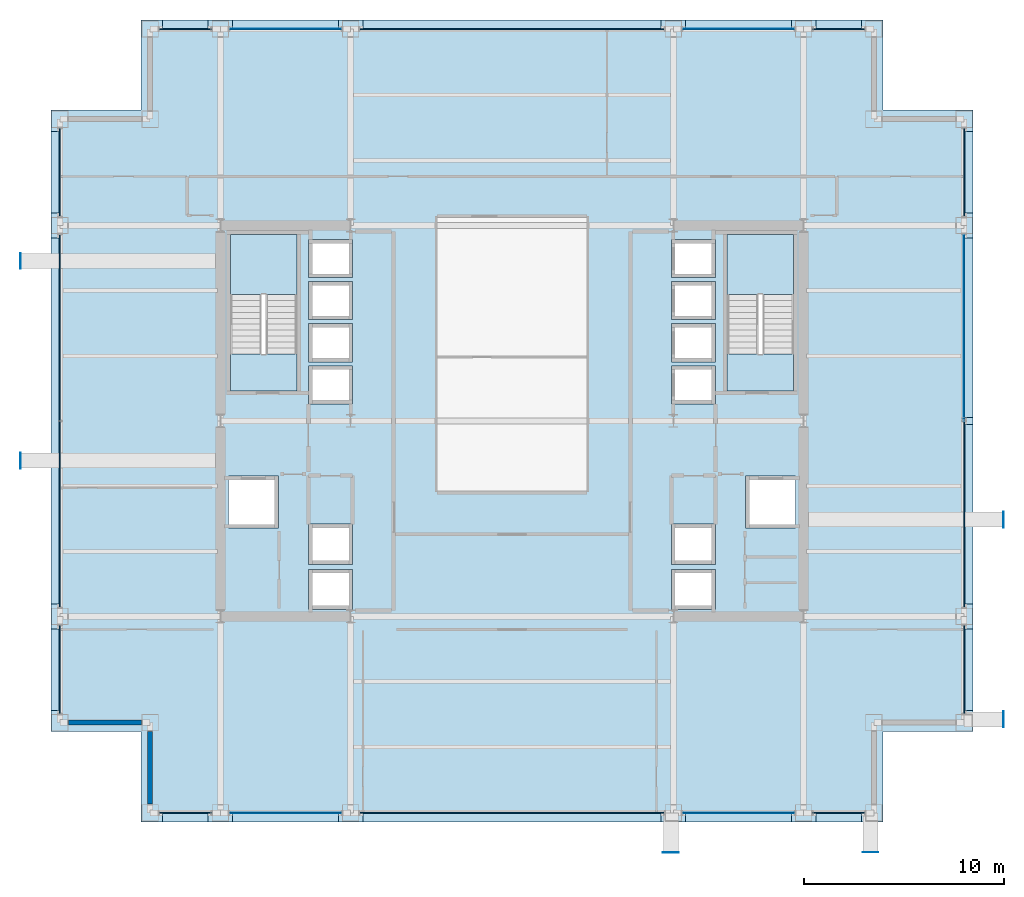
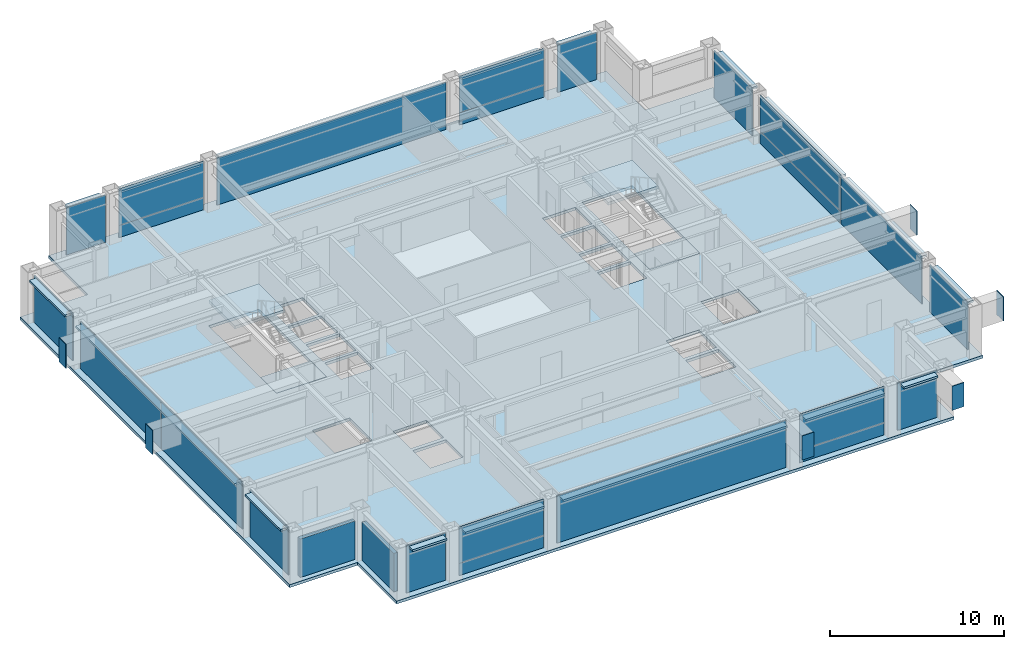
# One storey, part 23 of 28: 46 plates, 5 slabs, 2 walls, 19 elements without a shape of their own.
"""IFC4 building model written with IfcOpenShell, lengths in metres."""

import ifcopenshell
import ifcopenshell.guid

model = None  # the IFC model being written
_history = None  # IfcOwnerHistory: only IFC2X3 demands one
_inside = {}  # id of a spatial element -> (the spatial element, [elements in it])
_under = {}  # id of a project, library or spatial element -> (it, [spatial elements below it])
_declared = {}  # id of a project -> (the project, [libraries it declares])
_typed = {}  # id of a type object -> (the type object, [elements of that type])
_made_of = {}  # id of a material, layer set ... -> (it, [elements and type objects made of it])


def new_model(schema):
    """Start an empty IFC model of exactly this schema.

    Asked for "IFC4X3", IfcOpenShell would pick the latest addendum, in which some entities
    have other attributes; the version numbers below select the first issue.
    IFC2X3 requires an IfcOwnerHistory on every rooted entity: one is made here for all.
    """
    global model, _history
    if schema == "IFC4X3":
        model = ifcopenshell.file(schema_version=(4, 3, 0, 0))
    else:
        model = ifcopenshell.file(schema=schema)
    _inside.clear()
    _under.clear()
    _declared.clear()
    _typed.clear()
    _made_of.clear()
    _history = None
    if model.schema == "IFC2X3":
        org = make("IfcOrganization", Name="unknown")
        user = make(
            "IfcPersonAndOrganization",
            ThePerson=make("IfcPerson", FamilyName="unknown"),
            TheOrganization=org,
        )
        app = make(
            "IfcApplication",
            ApplicationDeveloper=org,
            Version="unknown",
            ApplicationFullName="unknown",
            ApplicationIdentifier="unknown",
        )
        _history = make(
            "IfcOwnerHistory",
            OwningUser=user,
            OwningApplication=app,
            ChangeAction="ADDED",
            CreationDate=0,
        )
    return model


def make(cls, **values):
    """One entity of the class cls with the attributes given. An attribute that is None is left unset."""
    return model.create_entity(
        cls, **{name: value for name, value in values.items() if value is not None}
    )


def rooted(cls, **values):
    """An entity with a GlobalId (a new one), such as an element, a storey or a relation."""
    return make(cls, GlobalId=ifcopenshell.guid.new(), OwnerHistory=_history, **values)


def si_unit(unit_type, name, prefix=None):
    """IfcSIUnit, for example si_unit("LENGTHUNIT", "METRE", prefix="MILLI")."""
    return make("IfcSIUnit", UnitType=unit_type, Prefix=prefix, Name=name)


def assignment(units):
    """IfcUnitAssignment: the units of a project."""
    return None if units is None else make("IfcUnitAssignment", Units=units)


def point(xyz):
    """IfcCartesianPoint."""
    return None if xyz is None else make("IfcCartesianPoint", Coordinates=xyz)


def direction(xyz):
    """IfcDirection."""
    return None if xyz is None else make("IfcDirection", DirectionRatios=xyz)


def frame(location, z_axis=None, x_axis=None):
    """IfcAxis2Placement3D, a coordinate frame: its origin and axes. An axis left out is left unset."""
    return make(
        "IfcAxis2Placement3D",
        Location=point(location),
        Axis=direction(z_axis),
        RefDirection=direction(x_axis),
    )


def frame_2d(location, x_axis=None):
    """IfcAxis2Placement2D, a coordinate frame in the plane: its origin and x axis."""
    return make(
        "IfcAxis2Placement2D", Location=point(location), RefDirection=direction(x_axis)
    )


def origin():
    """The frame at (0, 0, 0) with its axes left unset."""
    return frame((0.0, 0.0, 0.0))


def origin_2d():
    """The frame at (0, 0) in the plane with its x axis left unset."""
    return frame_2d((0.0, 0.0))


def place(relative_to, where):
    """IfcLocalPlacement: puts the frame where relative to a parent placement (None: the world)."""
    return make(
        "IfcLocalPlacement", PlacementRelTo=relative_to, RelativePlacement=where
    )


def context(
    kind, dimensions, precision=None, world=None, true_north=None, identifier=None
):
    """IfcGeometricRepresentationContext, for example the 3D "Model" context."""
    return make(
        "IfcGeometricRepresentationContext",
        ContextIdentifier=identifier,
        ContextType=kind,
        CoordinateSpaceDimension=dimensions,
        Precision=precision,
        WorldCoordinateSystem=world,
        TrueNorth=true_north,
    )


def subcontext(parent, identifier, kind, view, scale=None):
    """IfcGeometricRepresentationSubContext, for example "Body" below "Model"."""
    return make(
        "IfcGeometricRepresentationSubContext",
        ContextIdentifier=identifier,
        ContextType=kind,
        ParentContext=parent,
        TargetScale=scale,
        TargetView=view,
    )


def project(units=None, contexts=None):
    """IfcProject with its units and contexts."""
    return rooted(
        "IfcProject",
        Name="project",
        RepresentationContexts=contexts,
        UnitsInContext=assignment(units),
    )


def spatial(cls, under=None, at=None, **own):
    """A site, building, storey or space (cls), placed at a placement, below another one or the project."""
    s = rooted(cls, ObjectPlacement=at, **own)
    if under is not None:
        _under.setdefault(under.id(), (under, []))[1].append(s)
    return s


def polyline(points):
    """IfcPolyline through the points."""
    return make("IfcPolyline", Points=[point(p) for p in points])


def profile(cls, at=None, kind="AREA", **sizes):
    """A parametric profile (cls). Its sizes go by their IFC names, for example OverallWidth=200.0."""
    return make(cls, ProfileType=kind, Position=at, **sizes)


def rectangle(**sizes):
    """IfcRectangleProfileDef."""
    return profile("IfcRectangleProfileDef", **sizes)


def outline(outer, holes=None, kind="AREA"):
    """IfcArbitraryClosedProfileDef: a profile drawn as a closed curve; with holes, ...WithVoids."""
    if holes is None:
        return make("IfcArbitraryClosedProfileDef", ProfileType=kind, OuterCurve=outer)
    return make(
        "IfcArbitraryProfileDefWithVoids",
        ProfileType=kind,
        OuterCurve=outer,
        InnerCurves=holes,
    )


def extrude(swept, where, along, depth):
    """IfcExtrudedAreaSolid: the profile swept, set in the frame where, extruded along a direction by depth."""
    return make(
        "IfcExtrudedAreaSolid",
        SweptArea=swept,
        Position=where,
        ExtrudedDirection=direction(along),
        Depth=depth,
    )


def shape(context_of_items, identifier, shape_type, items):
    """IfcShapeRepresentation: the items that make up one representation, for example the "Body"."""
    return make(
        "IfcShapeRepresentation",
        ContextOfItems=context_of_items,
        RepresentationIdentifier=identifier,
        RepresentationType=shape_type,
        Items=items,
    )


def material(Name=None, Category=None):
    """IfcMaterial."""
    return make("IfcMaterial", Name=Name, Category=Category)


def layer(
    of_material, thickness, ventilated=None, Name=None, Category=None, Priority=None
):
    """IfcMaterialLayer: one layer of a wall or slab, of a material (None: an air gap)."""
    return make(
        "IfcMaterialLayer",
        Material=of_material,
        LayerThickness=thickness,
        IsVentilated=ventilated,
        Name=Name,
        Category=Category,
        Priority=Priority,
    )


def layer_set(layers, Name=None):
    """IfcMaterialLayerSet."""
    return make("IfcMaterialLayerSet", MaterialLayers=layers, LayerSetName=Name)


def made_of(thing, what):
    """Note that an element or type object is made of a material, layer set ...; save() writes the relation."""
    if what is not None:
        _made_of.setdefault(what.id(), (what, []))[1].append(thing)
    return thing


def type_object(cls, material=None, **own):
    """A type object (cls), such as IfcWallType, which elements share."""
    return made_of(rooted(cls, **own), material)


def element(
    cls,
    number,
    at=None,
    inside=None,
    cuts=None,
    type_object=None,
    material=None,
    context=None,
    identifier="Body",
    shape_type=None,
    held_by="IfcProductDefinitionShape",
    body=None,
    shapes=None,
    **own,
):
    """One element of the class cls, such as IfcWall. Its Tag is "e" and its number.

    at: its placement. inside: the storey or other place that contains it. cuts: it is an
    opening in that element (IfcRelVoidsElement). A single representation is given by context,
    identifier, shape_type and body (its items); several are given by shapes. held_by: the class
    of the entity that holds the representations. save() writes the other relations.
    """
    e = rooted(cls, Tag="e%d" % number, ObjectPlacement=at, **own)
    if body is not None:
        shapes = [shape(context, identifier, shape_type, body)]
    if shapes is not None:
        e.Representation = make(held_by, Representations=shapes)
    if inside is not None:
        _inside.setdefault(inside.id(), (inside, []))[1].append(e)
    if cuts is not None:
        rooted(
            "IfcRelVoidsElement", RelatingBuildingElement=cuts, RelatedOpeningElement=e
        )
    if type_object is not None:
        _typed.setdefault(type_object.id(), (type_object, []))[1].append(e)
    return made_of(e, material)


def aggregate(whole, parts):
    """IfcRelAggregates: a whole, such as a stair, and the parts it consists of."""
    return rooted("IfcRelAggregates", RelatingObject=whole, RelatedObjects=parts)


def save(model, path):
    """Write the relations noted so far, then the file.

    IfcRelAggregates (storeys below a building ...), IfcRelContainedInSpatialStructure (elements
    in a storey), IfcRelDefinesByType, IfcRelAssociatesMaterial and IfcRelDeclares: one each for
    every whole, place, type object, material and project.
    """
    for whole, parts in _under.values():
        aggregate(whole, parts)
    for where, things in _inside.values():
        rooted(
            "IfcRelContainedInSpatialStructure",
            RelatedElements=things,
            RelatingStructure=where,
        )
    for kind, things in _typed.values():
        rooted("IfcRelDefinesByType", RelatedObjects=things, RelatingType=kind)
    for what, things in _made_of.values():
        rooted("IfcRelAssociatesMaterial", RelatedObjects=things, RelatingMaterial=what)
    for by, libraries in _declared.values():
        rooted("IfcRelDeclares", RelatingContext=by, RelatedDefinitions=libraries)
    model.write(path)


model = new_model("IFC4")

# Units and contexts
model_context = context("Model", 3, precision=1e-05, world=origin(), true_north=direction((0.0, 1.0)))
body_context = subcontext(model_context, "Body", "Model", "MODEL_VIEW")
ifc_project = project(units=[si_unit("LENGTHUNIT", "METRE"), si_unit("AREAUNIT", "SQUARE_METRE"), si_unit("VOLUMEUNIT", "CUBIC_METRE"), si_unit("PLANEANGLEUNIT", "RADIAN"), si_unit("MASSUNIT", "GRAM", prefix="KILO")], contexts=[model_context])

# Site, building, storey
site_placement = place(None, origin())
site = spatial("IfcSite", under=ifc_project, at=site_placement, CompositionType="ELEMENT")
building_placement = place(site_placement, origin())
building = spatial("IfcBuilding", under=site, at=building_placement, Name="Brelmoor Portico Tower", CompositionType="ELEMENT")
storey_placement = place(building_placement, frame((0.0, 0.0, 91.800048828125)))
storey = spatial("IfcBuildingStorey", under=building, at=storey_placement, Name="L23", CompositionType="ELEMENT", Elevation=91.800048828125)

# Plates
ifc_material_1 = material(Name="Steel Q355B", Category="steel")
ifc_layer_1 = layer(ifc_material_1, 0.044921875)
ifc_layer_set_1 = layer_set([ifc_layer_1], Name="Steel Q355B")
plate_type_1 = type_object("IfcPlateType", Name="PT-CAP-650", PredefinedType="SHEET", material=ifc_layer_set_1)
for number, where, z_axis, x_axis, name in (
    (1, (7.919921875, -21.52001953125, 1.72021484375), (0.0, 0.0, 1.0), (1.0, 0.0, 0.0), "L23 Picture-Frame Cantilever End Cap Plate PFB-01"),
    (2, (17.8798828125, -21.52001953125, 1.72021484375), (0.0, 0.0, 1.0), (1.0, 0.0, 0.0), "L23 Picture-Frame Cantilever End Cap Plate PFB-02"),
):
    element("IfcPlate", number, at=place(storey_placement, frame(where, z_axis=z_axis, x_axis=x_axis)), inside=storey, type_object=plate_type_1, Name=name, PredefinedType="SHEET", context=body_context, shape_type="SweptSolid", body=[
        extrude(rectangle(XDim=0.7900390625, YDim=0.0400390625, at=origin_2d()), origin(), (0.0, 0.0, 1.0), 1.699951171875),
    ])
for number, where, z_axis, x_axis, name in (
    (3, (24.52001953125, -14.8798828125, 1.72021484375), (0.0, 0.0, 1.0), (1.0, 0.0, 0.0), "L23 Picture-Frame Cantilever End Cap Plate PFB-03"),
    (4, (24.52001953125, -4.919921875, 1.72021484375), (0.0, 0.0, 1.0), (1.0, 0.0, 0.0), "L23 Picture-Frame Cantilever End Cap Plate PFB-04"),
    (5, (-24.52001953125, -1.97998046875, 1.72021484375), (0.0, 0.0, 1.0), (1.0, 0.0, 0.0), "L23 Picture-Frame Cantilever End Cap Plate PFB-05"),
    (6, (-24.52001953125, 7.97998046875, 1.72021484375), (0.0, 0.0, 1.0), (1.0, 0.0, 0.0), "L23 Picture-Frame Cantilever End Cap Plate PFB-06"),
):
    element("IfcPlate", number, at=place(storey_placement, frame(where, z_axis=z_axis, x_axis=x_axis)), inside=storey, type_object=plate_type_1, Name=name, PredefinedType="SHEET", context=body_context, shape_type="SweptSolid", body=[
        extrude(rectangle(XDim=0.0400390625, YDim=0.7900390625, at=origin_2d()), origin(), (0.0, 0.0, 1.0), 1.699951171875),
    ])

# Curtain wall, plate
ifc_material_2 = material(Name="Anodised Aluminium Alloy 6063-T6", Category="aluminium")
ifc_layer_2 = layer(ifc_material_2, 0.179931640625)
ifc_layer_set_2 = layer_set([ifc_layer_2], Name="Anodised Aluminium Alloy 6063-T6")
curtain_wall_type_1 = type_object("IfcCurtainWallType", Name="CW-TOWER-Z2", PredefinedType="NOTDEFINED", material=ifc_layer_set_2)
curtain_wall_1_placement = place(storey_placement, origin())
curtain_wall_1 = element("IfcCurtainWall", 7, at=curtain_wall_1_placement, inside=storey, type_object=curtain_wall_type_1, Name="L23 Curtain Wall CW-L23-01-2", PredefinedType="NOTDEFINED")
ifc_material_3 = material(Name="Double-Silver Low-E Insulated Glazing", Category="glass")
ifc_layer_3 = layer(ifc_material_3, 0.035888671875)
ifc_layer_set_3 = layer_set([ifc_layer_3], Name="Double-Silver Low-E Insulated Glazing")
plate_type_2 = type_object("IfcPlateType", Name="PT-CW-GLASS", PredefinedType="CURTAIN_PANEL", material=ifc_layer_set_3)
plate_1_placement = place(storey_placement, frame((-11.300048828125, -19.550048828125, 0.85009765625), z_axis=(0.0, 0.0, 1.0), x_axis=(1.0, 0.0, 0.0)))
plate_1 = element("IfcPlate", 8, at=plate_1_placement, type_object=plate_type_2, Name="CW-L23-01-2 Vision Glass Panel 00", PredefinedType="CURTAIN_PANEL", context=body_context, shape_type="SweptSolid", body=[
    extrude(rectangle(XDim=5.60009765625, YDim=0.035888671875, at=origin_2d()), origin(), (0.0, 0.0, 1.0), 2.550048828125),
])

curtain_wall_2_placement = place(storey_placement, origin())
curtain_wall_2 = element("IfcCurtainWall", 9, at=curtain_wall_2_placement, inside=storey, type_object=curtain_wall_type_1, Name="L23 Curtain Wall CW-L23-01-4", PredefinedType="NOTDEFINED")
plate_2_placement = place(storey_placement, frame((11.300048828125, -19.550048828125, 0.85009765625), z_axis=(0.0, 0.0, 1.0), x_axis=(1.0, 0.0, 0.0)))
plate_2 = element("IfcPlate", 10, at=plate_2_placement, type_object=plate_type_2, Name="CW-L23-01-4 Vision Glass Panel 00", PredefinedType="CURTAIN_PANEL", context=body_context, shape_type="SweptSolid", body=[
    extrude(rectangle(XDim=5.60009765625, YDim=0.035888671875, at=origin_2d()), origin(), (0.0, 0.0, 1.0), 2.550048828125),
])

curtain_wall_3_placement = place(storey_placement, origin())
curtain_wall_3 = element("IfcCurtainWall", 11, at=curtain_wall_3_placement, inside=storey, type_object=curtain_wall_type_1, Name="L23 Curtain Wall CW-L23-02-2", PredefinedType="NOTDEFINED")
plate_3_placement = place(storey_placement, frame((-11.300048828125, 19.550048828125, 0.85009765625), z_axis=(0.0, 0.0, 1.0), x_axis=(1.0, 0.0, 0.0)))
plate_3 = element("IfcPlate", 12, at=plate_3_placement, type_object=plate_type_2, Name="CW-L23-02-2 Vision Glass Panel 00", PredefinedType="CURTAIN_PANEL", context=body_context, shape_type="SweptSolid", body=[
    extrude(rectangle(XDim=5.60009765625, YDim=0.035888671875, at=origin_2d()), origin(), (0.0, 0.0, 1.0), 2.550048828125),
])

curtain_wall_4_placement = place(storey_placement, origin())
curtain_wall_4 = element("IfcCurtainWall", 13, at=curtain_wall_4_placement, inside=storey, type_object=curtain_wall_type_1, Name="L23 Curtain Wall CW-L23-02-4", PredefinedType="NOTDEFINED")
plate_4_placement = place(storey_placement, frame((11.300048828125, 19.550048828125, 0.85009765625), z_axis=(0.0, 0.0, 1.0), x_axis=(1.0, 0.0, 0.0)))
plate_4 = element("IfcPlate", 14, at=plate_4_placement, type_object=plate_type_2, Name="CW-L23-02-4 Vision Glass Panel 00", PredefinedType="CURTAIN_PANEL", context=body_context, shape_type="SweptSolid", body=[
    extrude(rectangle(XDim=5.60009765625, YDim=0.035888671875, at=origin_2d()), origin(), (0.0, 0.0, 1.0), 2.550048828125),
])

curtain_wall_5_placement = place(storey_placement, origin())
curtain_wall_5 = element("IfcCurtainWall", 15, at=curtain_wall_5_placement, inside=storey, type_object=curtain_wall_type_1, Name="L23 Curtain Wall CW-L23-04-2b", PredefinedType="NOTDEFINED")
plate_5_placement = place(storey_placement, frame((22.550048828125, 4.657470703125, 0.85009765625), z_axis=(0.0, 0.0, 1.0), x_axis=(0.0, 1.0, 0.0)))
plate_5 = element("IfcPlate", 16, at=plate_5_placement, type_object=plate_type_2, Name="CW-L23-04-2b Vision Glass Panel 00", PredefinedType="CURTAIN_PANEL", context=body_context, shape_type="SweptSolid", body=[
    extrude(rectangle(XDim=9.284912109375, YDim=0.035888671875, at=origin_2d()), origin(), (0.0, 0.0, 1.0), 2.550048828125),
])

ifc_layer_4 = layer(ifc_material_2, 0.179931640625)
ifc_layer_set_4 = layer_set([ifc_layer_4], Name="Anodised Aluminium Alloy 6063-T6")
curtain_wall_type_2 = type_object("IfcCurtainWallType", Name="CW-TOWER-Z2-XB", PredefinedType="NOTDEFINED", material=ifc_layer_set_4)
curtain_wall_6_placement = place(storey_placement, origin())
curtain_wall_6 = element("IfcCurtainWall", 17, at=curtain_wall_6_placement, inside=storey, type_object=curtain_wall_type_2, Name="L23 Curtain Wall CW-L23-01-1", PredefinedType="NOTDEFINED")
ifc_material_4 = material(Name="Pale Champagne Anodised Aluminium Panel", Category="aluminium")
ifc_layer_5 = layer(ifc_material_4, 0.050048828125)
ifc_layer_set_5 = layer_set([ifc_layer_5], Name="Pale Champagne Anodised Aluminium Panel")
plate_type_3 = type_object("IfcPlateType", Name="PT-CW-SPANDREL", PredefinedType="SHEET", material=ifc_layer_set_5)
plate_6_placement = place(storey_placement, frame((-16.300048828125, -19.550048828125, 0.0), z_axis=(0.0, 0.0, 1.0), x_axis=(1.0, 0.0, 0.0)))
plate_6 = element("IfcPlate", 18, at=plate_6_placement, type_object=plate_type_3, Name="CW-L23-01-1 Spandrel Panel 00", PredefinedType="SHEET", context=body_context, shape_type="SweptSolid", body=[
    extrude(rectangle(XDim=2.60009765625, YDim=0.050048828125, at=origin_2d()), origin(), (0.0, 0.0, 1.0), 3.330078125),
])
aggregate(curtain_wall_6, [plate_6])

# Plate
plate_7_placement = place(storey_placement, frame((-11.300048828125, -19.550048828125, 0.0), z_axis=(0.0, 0.0, 1.0), x_axis=(1.0, 0.0, 0.0)))
plate_7 = element("IfcPlate", 19, at=plate_7_placement, type_object=plate_type_3, Name="CW-L23-01-2 Spandrel Panel 00", PredefinedType="SHEET", context=body_context, shape_type="SweptSolid", body=[
    extrude(rectangle(XDim=5.60009765625, YDim=0.050048828125, at=origin_2d()), origin(), (0.0, 0.0, 1.0), 0.85009765625),
])

aggregate(curtain_wall_1, [plate_7, plate_1])

# Curtain wall, plate
curtain_wall_7_placement = place(storey_placement, origin())
curtain_wall_7 = element("IfcCurtainWall", 20, at=curtain_wall_7_placement, inside=storey, type_object=curtain_wall_type_2, Name="L23 Curtain Wall CW-L23-01-3", PredefinedType="NOTDEFINED")
plate_8_placement = place(storey_placement, frame((0.0, -19.550048828125, 0.0), z_axis=(0.0, 0.0, 1.0), x_axis=(1.0, 0.0, 0.0)))
plate_8 = element("IfcPlate", 21, at=plate_8_placement, type_object=plate_type_3, Name="CW-L23-01-3 Spandrel Panel 00", PredefinedType="SHEET", context=body_context, shape_type="SweptSolid", body=[
    extrude(rectangle(XDim=15.199951171875, YDim=0.050048828125, at=origin_2d()), origin(), (0.0, 0.0, 1.0), 3.330078125),
])
aggregate(curtain_wall_7, [plate_8])

# Plate
plate_9_placement = place(storey_placement, frame((11.300048828125, -19.550048828125, 0.0), z_axis=(0.0, 0.0, 1.0), x_axis=(1.0, 0.0, 0.0)))
plate_9 = element("IfcPlate", 22, at=plate_9_placement, type_object=plate_type_3, Name="CW-L23-01-4 Spandrel Panel 00", PredefinedType="SHEET", context=body_context, shape_type="SweptSolid", body=[
    extrude(rectangle(XDim=5.60009765625, YDim=0.050048828125, at=origin_2d()), origin(), (0.0, 0.0, 1.0), 0.85009765625),
])

aggregate(curtain_wall_2, [plate_9, plate_2])

# Curtain wall, plate
curtain_wall_8_placement = place(storey_placement, origin())
curtain_wall_8 = element("IfcCurtainWall", 23, at=curtain_wall_8_placement, inside=storey, type_object=curtain_wall_type_2, Name="L23 Curtain Wall CW-L23-01-5", PredefinedType="NOTDEFINED")
plate_10_placement = place(storey_placement, frame((16.300048828125, -19.550048828125, 0.0), z_axis=(0.0, 0.0, 1.0), x_axis=(1.0, 0.0, 0.0)))
plate_10 = element("IfcPlate", 24, at=plate_10_placement, type_object=plate_type_3, Name="CW-L23-01-5 Spandrel Panel 00", PredefinedType="SHEET", context=body_context, shape_type="SweptSolid", body=[
    extrude(rectangle(XDim=2.60009765625, YDim=0.050048828125, at=origin_2d()), origin(), (0.0, 0.0, 1.0), 3.330078125),
])
aggregate(curtain_wall_8, [plate_10])

curtain_wall_9_placement = place(storey_placement, origin())
curtain_wall_9 = element("IfcCurtainWall", 25, at=curtain_wall_9_placement, inside=storey, type_object=curtain_wall_type_2, Name="L23 Curtain Wall CW-L23-02-1", PredefinedType="NOTDEFINED")
plate_11_placement = place(storey_placement, frame((-16.300048828125, 19.550048828125, 0.0), z_axis=(0.0, 0.0, 1.0), x_axis=(1.0, 0.0, 0.0)))
plate_11 = element("IfcPlate", 26, at=plate_11_placement, type_object=plate_type_3, Name="CW-L23-02-1 Spandrel Panel 00", PredefinedType="SHEET", context=body_context, shape_type="SweptSolid", body=[
    extrude(rectangle(XDim=2.60009765625, YDim=0.050048828125, at=origin_2d()), origin(), (0.0, 0.0, 1.0), 3.330078125),
])
aggregate(curtain_wall_9, [plate_11])

# Plate
plate_12_placement = place(storey_placement, frame((-11.300048828125, 19.550048828125, 0.0), z_axis=(0.0, 0.0, 1.0), x_axis=(1.0, 0.0, 0.0)))
plate_12 = element("IfcPlate", 27, at=plate_12_placement, type_object=plate_type_3, Name="CW-L23-02-2 Spandrel Panel 00", PredefinedType="SHEET", context=body_context, shape_type="SweptSolid", body=[
    extrude(rectangle(XDim=5.60009765625, YDim=0.050048828125, at=origin_2d()), origin(), (0.0, 0.0, 1.0), 0.85009765625),
])

aggregate(curtain_wall_3, [plate_12, plate_3])

# Curtain wall, plate
curtain_wall_10_placement = place(storey_placement, origin())
curtain_wall_10 = element("IfcCurtainWall", 28, at=curtain_wall_10_placement, inside=storey, type_object=curtain_wall_type_2, Name="L23 Curtain Wall CW-L23-02-3", PredefinedType="NOTDEFINED")
plate_13_placement = place(storey_placement, frame((0.0, 19.550048828125, 0.0), z_axis=(0.0, 0.0, 1.0), x_axis=(1.0, 0.0, 0.0)))
plate_13 = element("IfcPlate", 29, at=plate_13_placement, type_object=plate_type_3, Name="CW-L23-02-3 Spandrel Panel 00", PredefinedType="SHEET", context=body_context, shape_type="SweptSolid", body=[
    extrude(rectangle(XDim=15.199951171875, YDim=0.050048828125, at=origin_2d()), origin(), (0.0, 0.0, 1.0), 3.330078125),
])
aggregate(curtain_wall_10, [plate_13])

# Plate
plate_14_placement = place(storey_placement, frame((11.300048828125, 19.550048828125, 0.0), z_axis=(0.0, 0.0, 1.0), x_axis=(1.0, 0.0, 0.0)))
plate_14 = element("IfcPlate", 30, at=plate_14_placement, type_object=plate_type_3, Name="CW-L23-02-4 Spandrel Panel 00", PredefinedType="SHEET", context=body_context, shape_type="SweptSolid", body=[
    extrude(rectangle(XDim=5.60009765625, YDim=0.050048828125, at=origin_2d()), origin(), (0.0, 0.0, 1.0), 0.85009765625),
])

aggregate(curtain_wall_4, [plate_14, plate_4])

# Curtain wall, plate
curtain_wall_11_placement = place(storey_placement, origin())
curtain_wall_11 = element("IfcCurtainWall", 31, at=curtain_wall_11_placement, inside=storey, type_object=curtain_wall_type_2, Name="L23 Curtain Wall CW-L23-02-5", PredefinedType="NOTDEFINED")
plate_15_placement = place(storey_placement, frame((16.300048828125, 19.550048828125, 0.0), z_axis=(0.0, 0.0, 1.0), x_axis=(1.0, 0.0, 0.0)))
plate_15 = element("IfcPlate", 32, at=plate_15_placement, type_object=plate_type_3, Name="CW-L23-02-5 Spandrel Panel 00", PredefinedType="SHEET", context=body_context, shape_type="SweptSolid", body=[
    extrude(rectangle(XDim=2.60009765625, YDim=0.050048828125, at=origin_2d()), origin(), (0.0, 0.0, 1.0), 3.330078125),
])
aggregate(curtain_wall_11, [plate_15])

curtain_wall_12_placement = place(storey_placement, origin())
curtain_wall_12 = element("IfcCurtainWall", 33, at=curtain_wall_12_placement, inside=storey, type_object=curtain_wall_type_2, Name="L23 Curtain Wall CW-L23-03-1", PredefinedType="NOTDEFINED")
plate_16_placement = place(storey_placement, frame((-22.550048828125, -12.39990234375, 0.0), z_axis=(0.0, 0.0, 1.0), x_axis=(0.0, 1.0, 0.0)))
plate_16 = element("IfcPlate", 34, at=plate_16_placement, type_object=plate_type_3, Name="CW-L23-03-1 Spandrel Panel 00", PredefinedType="SHEET", context=body_context, shape_type="SweptSolid", body=[
    extrude(rectangle(XDim=4.39990234375, YDim=0.050048828125, at=origin_2d()), origin(), (0.0, 0.0, 1.0), 3.330078125),
])
aggregate(curtain_wall_12, [plate_16])

# Curtain wall, plates
curtain_wall_13_placement = place(storey_placement, origin())
curtain_wall_13 = element("IfcCurtainWall", 35, at=curtain_wall_13_placement, inside=storey, type_object=curtain_wall_type_2, Name="L23 Curtain Wall CW-L23-03-2", PredefinedType="NOTDEFINED")
plate_17_placement = place(storey_placement, frame((-22.550048828125, -4.657470703125, 0.0), z_axis=(0.0, 0.0, 1.0), x_axis=(0.0, 1.0, 0.0)))
plate_17 = element("IfcPlate", 36, at=plate_17_placement, type_object=plate_type_3, Name="CW-L23-03-2 Spandrel Panel 00", PredefinedType="SHEET", context=body_context, shape_type="SweptSolid", body=[
    extrude(rectangle(XDim=9.284912109375, YDim=0.050048828125, at=origin_2d()), origin(), (0.0, 0.0, 1.0), 3.330078125),
])
plate_18_placement = place(storey_placement, frame((-22.550048828125, 4.657470703125, 0.0), z_axis=(0.0, 0.0, 1.0), x_axis=(0.0, 1.0, 0.0)))
plate_18 = element("IfcPlate", 37, at=plate_18_placement, type_object=plate_type_3, Name="CW-L23-03-2 Spandrel Panel 01", PredefinedType="SHEET", context=body_context, shape_type="SweptSolid", body=[
    extrude(rectangle(XDim=9.284912109375, YDim=0.050048828125, at=origin_2d()), origin(), (0.0, 0.0, 1.0), 3.330078125),
])
aggregate(curtain_wall_13, [plate_17, plate_18])

# Curtain wall, plate
curtain_wall_14_placement = place(storey_placement, origin())
curtain_wall_14 = element("IfcCurtainWall", 38, at=curtain_wall_14_placement, inside=storey, type_object=curtain_wall_type_2, Name="L23 Curtain Wall CW-L23-03-3", PredefinedType="NOTDEFINED")
plate_19_placement = place(storey_placement, frame((-22.550048828125, 12.39990234375, 0.0), z_axis=(0.0, 0.0, 1.0), x_axis=(0.0, 1.0, 0.0)))
plate_19 = element("IfcPlate", 39, at=plate_19_placement, type_object=plate_type_3, Name="CW-L23-03-3 Spandrel Panel 00", PredefinedType="SHEET", context=body_context, shape_type="SweptSolid", body=[
    extrude(rectangle(XDim=4.39990234375, YDim=0.050048828125, at=origin_2d()), origin(), (0.0, 0.0, 1.0), 3.330078125),
])
aggregate(curtain_wall_14, [plate_19])

curtain_wall_15_placement = place(storey_placement, origin())
curtain_wall_15 = element("IfcCurtainWall", 40, at=curtain_wall_15_placement, inside=storey, type_object=curtain_wall_type_2, Name="L23 Curtain Wall CW-L23-04-1", PredefinedType="NOTDEFINED")
plate_20_placement = place(storey_placement, frame((22.550048828125, -12.39990234375, 0.0), z_axis=(0.0, 0.0, 1.0), x_axis=(0.0, 1.0, 0.0)))
plate_20 = element("IfcPlate", 41, at=plate_20_placement, type_object=plate_type_3, Name="CW-L23-04-1 Spandrel Panel 00", PredefinedType="SHEET", context=body_context, shape_type="SweptSolid", body=[
    extrude(rectangle(XDim=4.39990234375, YDim=0.050048828125, at=origin_2d()), origin(), (0.0, 0.0, 1.0), 3.330078125),
])
aggregate(curtain_wall_15, [plate_20])

curtain_wall_16_placement = place(storey_placement, origin())
curtain_wall_16 = element("IfcCurtainWall", 42, at=curtain_wall_16_placement, inside=storey, type_object=curtain_wall_type_2, Name="L23 Curtain Wall CW-L23-04-2a", PredefinedType="NOTDEFINED")
plate_21_placement = place(storey_placement, frame((22.550048828125, -4.657470703125, 0.0), z_axis=(0.0, 0.0, 1.0), x_axis=(0.0, 1.0, 0.0)))
plate_21 = element("IfcPlate", 43, at=plate_21_placement, type_object=plate_type_3, Name="CW-L23-04-2a Spandrel Panel 00", PredefinedType="SHEET", context=body_context, shape_type="SweptSolid", body=[
    extrude(rectangle(XDim=9.284912109375, YDim=0.050048828125, at=origin_2d()), origin(), (0.0, 0.0, 1.0), 3.330078125),
])
aggregate(curtain_wall_16, [plate_21])

# Plate
plate_22_placement = place(storey_placement, frame((22.550048828125, 4.657470703125, 0.0), z_axis=(0.0, 0.0, 1.0), x_axis=(0.0, 1.0, 0.0)))
plate_22 = element("IfcPlate", 44, at=plate_22_placement, type_object=plate_type_3, Name="CW-L23-04-2b Spandrel Panel 00", PredefinedType="SHEET", context=body_context, shape_type="SweptSolid", body=[
    extrude(rectangle(XDim=9.284912109375, YDim=0.050048828125, at=origin_2d()), origin(), (0.0, 0.0, 1.0), 0.85009765625),
])

aggregate(curtain_wall_5, [plate_22, plate_5])

# Curtain wall, plate
curtain_wall_17_placement = place(storey_placement, origin())
curtain_wall_17 = element("IfcCurtainWall", 45, at=curtain_wall_17_placement, inside=storey, type_object=curtain_wall_type_2, Name="L23 Curtain Wall CW-L23-04-3", PredefinedType="NOTDEFINED")
plate_23_placement = place(storey_placement, frame((22.550048828125, 12.39990234375, 0.0), z_axis=(0.0, 0.0, 1.0), x_axis=(0.0, 1.0, 0.0)))
plate_23 = element("IfcPlate", 46, at=plate_23_placement, type_object=plate_type_3, Name="CW-L23-04-3 Spandrel Panel 00", PredefinedType="SHEET", context=body_context, shape_type="SweptSolid", body=[
    extrude(rectangle(XDim=4.39990234375, YDim=0.050048828125, at=origin_2d()), origin(), (0.0, 0.0, 1.0), 3.330078125),
])
aggregate(curtain_wall_17, [plate_23])

# Plates
ifc_material_5 = material(Name="Pale Champagne Perforated Aluminium Solar Screen", Category="aluminium")
ifc_layer_6 = layer(ifc_material_5, 0.054931640625)
ifc_layer_set_6 = layer_set([ifc_layer_6], Name="Pale Champagne Perforated Aluminium Solar Screen")
plate_type_4 = type_object("IfcPlateType", Name="PT-SOLAR-LOUVRE", PredefinedType="SHEET", material=ifc_layer_set_6)
plate_24_placement = place(storey_placement, frame((-16.300048828125, -19.760009765625, 3.08984375), z_axis=(0.0, 0.0, 1.0), x_axis=(1.0, 0.0, 0.0)))
element("IfcPlate", 47, at=plate_24_placement, inside=storey, type_object=plate_type_4, Name="CW-L23-01-1 Caribbean Brise-Soleil Solar Screen", PredefinedType="SHEET", context=body_context, shape_type="SweptSolid", body=[
    extrude(rectangle(XDim=2.27001953125, YDim=0.4599609375, at=origin_2d()), origin(), (0.0, 0.0, 1.0), 0.139892578125),
])
plate_25_placement = place(storey_placement, frame((-11.300048828125, -19.760009765625, 3.08984375), z_axis=(0.0, 0.0, 1.0), x_axis=(1.0, 0.0, 0.0)))
element("IfcPlate", 48, at=plate_25_placement, inside=storey, type_object=plate_type_4, Name="CW-L23-01-2 Caribbean Brise-Soleil Solar Screen", PredefinedType="SHEET", context=body_context, shape_type="SweptSolid", body=[
    extrude(rectangle(XDim=5.27001953125, YDim=0.4599609375, at=origin_2d()), origin(), (0.0, 0.0, 1.0), 0.139892578125),
])
plate_26_placement = place(storey_placement, frame((0.0, -19.760009765625, 3.08984375), z_axis=(0.0, 0.0, 1.0), x_axis=(1.0, 0.0, 0.0)))
element("IfcPlate", 49, at=plate_26_placement, inside=storey, type_object=plate_type_4, Name="CW-L23-01-3 Caribbean Brise-Soleil Solar Screen", PredefinedType="SHEET", context=body_context, shape_type="SweptSolid", body=[
    extrude(rectangle(XDim=14.8701171875, YDim=0.4599609375, at=origin_2d()), origin(), (0.0, 0.0, 1.0), 0.139892578125),
])
plate_27_placement = place(storey_placement, frame((11.300048828125, -19.760009765625, 3.08984375), z_axis=(0.0, 0.0, 1.0), x_axis=(1.0, 0.0, 0.0)))
element("IfcPlate", 50, at=plate_27_placement, inside=storey, type_object=plate_type_4, Name="CW-L23-01-4 Caribbean Brise-Soleil Solar Screen", PredefinedType="SHEET", context=body_context, shape_type="SweptSolid", body=[
    extrude(rectangle(XDim=5.27001953125, YDim=0.4599609375, at=origin_2d()), origin(), (0.0, 0.0, 1.0), 0.139892578125),
])
for number, where, z_axis, x_axis, name in (
    (51, (16.300048828125, -19.760009765625, 3.08984375), (0.0, 0.0, 1.0), (1.0, 0.0, 0.0), "CW-L23-01-5 Caribbean Brise-Soleil Solar Screen"),
    (52, (-16.300048828125, 19.760009765625, 3.08984375), (0.0, 0.0, 1.0), (1.0, 0.0, 0.0), "CW-L23-02-1 Caribbean Brise-Soleil Solar Screen"),
):
    element("IfcPlate", number, at=place(storey_placement, frame(where, z_axis=z_axis, x_axis=x_axis)), inside=storey, type_object=plate_type_4, Name=name, PredefinedType="SHEET", context=body_context, shape_type="SweptSolid", body=[
        extrude(rectangle(XDim=2.27001953125, YDim=0.4599609375, at=origin_2d()), origin(), (0.0, 0.0, 1.0), 0.139892578125),
    ])
plate_28_placement = place(storey_placement, frame((-11.300048828125, 19.760009765625, 3.08984375), z_axis=(0.0, 0.0, 1.0), x_axis=(1.0, 0.0, 0.0)))
element("IfcPlate", 53, at=plate_28_placement, inside=storey, type_object=plate_type_4, Name="CW-L23-02-2 Caribbean Brise-Soleil Solar Screen", PredefinedType="SHEET", context=body_context, shape_type="SweptSolid", body=[
    extrude(rectangle(XDim=5.27001953125, YDim=0.4599609375, at=origin_2d()), origin(), (0.0, 0.0, 1.0), 0.139892578125),
])
plate_29_placement = place(storey_placement, frame((0.0, 19.760009765625, 3.08984375), z_axis=(0.0, 0.0, 1.0), x_axis=(1.0, 0.0, 0.0)))
element("IfcPlate", 54, at=plate_29_placement, inside=storey, type_object=plate_type_4, Name="CW-L23-02-3 Caribbean Brise-Soleil Solar Screen", PredefinedType="SHEET", context=body_context, shape_type="SweptSolid", body=[
    extrude(rectangle(XDim=14.8701171875, YDim=0.4599609375, at=origin_2d()), origin(), (0.0, 0.0, 1.0), 0.139892578125),
])
plate_30_placement = place(storey_placement, frame((11.300048828125, 19.760009765625, 3.08984375), z_axis=(0.0, 0.0, 1.0), x_axis=(1.0, 0.0, 0.0)))
element("IfcPlate", 55, at=plate_30_placement, inside=storey, type_object=plate_type_4, Name="CW-L23-02-4 Caribbean Brise-Soleil Solar Screen", PredefinedType="SHEET", context=body_context, shape_type="SweptSolid", body=[
    extrude(rectangle(XDim=5.27001953125, YDim=0.4599609375, at=origin_2d()), origin(), (0.0, 0.0, 1.0), 0.139892578125),
])
plate_31_placement = place(storey_placement, frame((16.300048828125, 19.760009765625, 3.08984375), z_axis=(0.0, 0.0, 1.0), x_axis=(1.0, 0.0, 0.0)))
element("IfcPlate", 56, at=plate_31_placement, inside=storey, type_object=plate_type_4, Name="CW-L23-02-5 Caribbean Brise-Soleil Solar Screen", PredefinedType="SHEET", context=body_context, shape_type="SweptSolid", body=[
    extrude(rectangle(XDim=2.27001953125, YDim=0.4599609375, at=origin_2d()), origin(), (0.0, 0.0, 1.0), 0.139892578125),
])
plate_32_placement = place(storey_placement, frame((-22.760009765625, -12.39990234375, 3.08984375), z_axis=(0.0, 0.0, 1.0), x_axis=(0.0, 1.0, 0.0)))
element("IfcPlate", 57, at=plate_32_placement, inside=storey, type_object=plate_type_4, Name="CW-L23-03-1 Caribbean Brise-Soleil Solar Screen", PredefinedType="SHEET", context=body_context, shape_type="SweptSolid", body=[
    extrude(rectangle(XDim=4.070068359375, YDim=0.4599609375, at=origin_2d()), origin(), (0.0, 0.0, 1.0), 0.139892578125),
])
plate_33_placement = place(storey_placement, frame((-22.760009765625, 0.0, 3.08984375), z_axis=(0.0, 0.0, 1.0), x_axis=(0.0, 1.0, 0.0)))
element("IfcPlate", 58, at=plate_33_placement, inside=storey, type_object=plate_type_4, Name="CW-L23-03-2 Caribbean Brise-Soleil Solar Screen", PredefinedType="SHEET", context=body_context, shape_type="SweptSolid", body=[
    extrude(rectangle(XDim=18.27001953125, YDim=0.4599609375, at=origin_2d()), origin(), (0.0, 0.0, 1.0), 0.139892578125),
])
for number, where, z_axis, x_axis, name in (
    (59, (-22.760009765625, 12.39990234375, 3.08984375), (0.0, 0.0, 1.0), (0.0, 1.0, 0.0), "CW-L23-03-3 Caribbean Brise-Soleil Solar Screen"),
    (60, (22.760009765625, -12.39990234375, 3.08984375), (0.0, 0.0, 1.0), (0.0, 1.0, 0.0), "CW-L23-04-1 Caribbean Brise-Soleil Solar Screen"),
):
    element("IfcPlate", number, at=place(storey_placement, frame(where, z_axis=z_axis, x_axis=x_axis)), inside=storey, type_object=plate_type_4, Name=name, PredefinedType="SHEET", context=body_context, shape_type="SweptSolid", body=[
        extrude(rectangle(XDim=4.070068359375, YDim=0.4599609375, at=origin_2d()), origin(), (0.0, 0.0, 1.0), 0.139892578125),
    ])
for number, where, z_axis, x_axis, name in (
    (61, (22.760009765625, -4.657470703125, 3.08984375), (0.0, 0.0, 1.0), (0.0, 1.0, 0.0), "CW-L23-04-2a Caribbean Brise-Soleil Solar Screen"),
    (62, (22.760009765625, 4.657470703125, 3.08984375), (0.0, 0.0, 1.0), (0.0, 1.0, 0.0), "CW-L23-04-2b Caribbean Brise-Soleil Solar Screen"),
):
    element("IfcPlate", number, at=place(storey_placement, frame(where, z_axis=z_axis, x_axis=x_axis)), inside=storey, type_object=plate_type_4, Name=name, PredefinedType="SHEET", context=body_context, shape_type="SweptSolid", body=[
        extrude(rectangle(XDim=8.955078125, YDim=0.4599609375, at=origin_2d()), origin(), (0.0, 0.0, 1.0), 0.139892578125),
    ])
plate_34_placement = place(storey_placement, frame((22.760009765625, 12.39990234375, 3.08984375), z_axis=(0.0, 0.0, 1.0), x_axis=(0.0, 1.0, 0.0)))
element("IfcPlate", 63, at=plate_34_placement, inside=storey, type_object=plate_type_4, Name="CW-L23-04-3 Caribbean Brise-Soleil Solar Screen", PredefinedType="SHEET", context=body_context, shape_type="SweptSolid", body=[
    extrude(rectangle(XDim=4.070068359375, YDim=0.4599609375, at=origin_2d()), origin(), (0.0, 0.0, 1.0), 0.139892578125),
])

# Slab
ifc_material_6 = material(Name="Concrete C40", Category="concrete")
ifc_layer_7 = layer(ifc_material_6, 0.199951171875)
ifc_layer_set_7 = layer_set([ifc_layer_7], Name="Concrete C40")
slab_type_1 = type_object("IfcSlabType", Name="SL-FLOOR-200", PredefinedType="FLOOR", material=ifc_layer_set_7)
slab_1_placement = place(storey_placement, frame((0.0, 0.0, -0.199951171875)))
element("IfcSlab", 64, at=slab_1_placement, inside=storey, type_object=slab_type_1, Name="L23 Main Structural Floor Slab", PredefinedType="FLOOR", context=body_context, shape_type="SweptSolid", body=[
    extrude(outline(polyline([(-18.5, -20.0), (18.5, -20.0), (18.5, -15.5), (23.0, -15.5), (23.0, 15.5), (18.5, 15.5), (18.5, 20.0), (-18.5, 20.0), (-18.5, 15.5), (-23.0, 15.5), (-23.0, -15.5), (-18.5, -15.5), (-18.5, -20.0)]), holes=[polyline([(-10.72998046875, 1.5), (-10.72998046875, 9.300048828125), (-14.050048828125, 9.300048828125), (-14.050048828125, 1.5), (-10.72998046875, 1.5)]), polyline([(14.050048828125, 1.5), (14.050048828125, 9.300048828125), (10.72998046875, 9.300048828125), (10.72998046875, 1.5), (14.050048828125, 1.5)]), polyline([(-10.14990234375, 0.85009765625), (-7.949951171875, 0.85009765625), (-7.949951171875, 2.75), (-10.14990234375, 2.75), (-10.14990234375, 0.85009765625)]), polyline([(-10.14990234375, 2.949951171875), (-7.949951171875, 2.949951171875), (-7.949951171875, 4.85009765625), (-10.14990234375, 4.85009765625), (-10.14990234375, 2.949951171875)]), polyline([(-10.14990234375, 5.050048828125), (-7.949951171875, 5.050048828125), (-7.949951171875, 6.949951171875), (-10.14990234375, 6.949951171875), (-10.14990234375, 5.050048828125)]), polyline([(-10.14990234375, 7.14990234375), (-7.949951171875, 7.14990234375), (-7.949951171875, 9.050048828125), (-10.14990234375, 9.050048828125), (-10.14990234375, 7.14990234375)]), polyline([(7.949951171875, 0.85009765625), (10.14990234375, 0.85009765625), (10.14990234375, 2.75), (7.949951171875, 2.75), (7.949951171875, 0.85009765625)]), polyline([(7.949951171875, 2.949951171875), (10.14990234375, 2.949951171875), (10.14990234375, 4.85009765625), (7.949951171875, 4.85009765625), (7.949951171875, 2.949951171875)]), polyline([(7.949951171875, 5.050048828125), (10.14990234375, 5.050048828125), (10.14990234375, 6.949951171875), (7.949951171875, 6.949951171875), (7.949951171875, 5.050048828125)]), polyline([(7.949951171875, 7.14990234375), (10.14990234375, 7.14990234375), (10.14990234375, 9.050048828125), (7.949951171875, 9.050048828125), (7.949951171875, 7.14990234375)]), polyline([(-10.14990234375, -9.39990234375), (-7.949951171875, -9.39990234375), (-7.949951171875, -7.39990234375), (-10.14990234375, -7.39990234375), (-10.14990234375, -9.39990234375)]), polyline([(-10.14990234375, -7.14990234375), (-7.949951171875, -7.14990234375), (-7.949951171875, -5.14990234375), (-10.14990234375, -5.14990234375), (-10.14990234375, -7.14990234375)]), polyline([(7.949951171875, -9.39990234375), (10.14990234375, -9.39990234375), (10.14990234375, -7.39990234375), (7.949951171875, -7.39990234375), (7.949951171875, -9.39990234375)]), polyline([(7.949951171875, -7.14990234375), (10.14990234375, -7.14990234375), (10.14990234375, -5.14990234375), (7.949951171875, -5.14990234375), (7.949951171875, -7.14990234375)]), polyline([(-14.14990234375, -5.35009765625), (-11.64990234375, -5.35009765625), (-11.64990234375, -2.75), (-14.14990234375, -2.75), (-14.14990234375, -5.35009765625)]), polyline([(11.64990234375, -5.35009765625), (14.14990234375, -5.35009765625), (14.14990234375, -2.75), (11.64990234375, -2.75), (11.64990234375, -5.35009765625)])]), origin(), (0.0, 0.0, 1.0), 0.199951171875),
])

# Stair, slab
stair_type_1 = type_object("IfcStairType", Name="ST-CORE-W", PredefinedType="HALF_TURN_STAIR", material=ifc_material_6)
stair_1_placement = place(storey_placement, origin())
stair_1 = element("IfcStair", 65, at=stair_1_placement, inside=storey, type_object=stair_type_1, Name="L23 Protected Core Exit Stair ST-W", PredefinedType="HALF_TURN_STAIR")
ifc_layer_8 = layer(ifc_material_6, 0.179931640625)
ifc_layer_set_8 = layer_set([ifc_layer_8], Name="Concrete C40")
slab_type_2 = type_object("IfcSlabType", Name="SL-LANDING-180", PredefinedType="LANDING", material=ifc_layer_set_8)
slab_2_placement = place(storey_placement, frame((0.0, 0.0, 1.599853515625)))
slab_2 = element("IfcSlab", 66, at=slab_2_placement, type_object=slab_type_2, Name="ST-W landing 1", PredefinedType="LANDING", context=body_context, shape_type="SweptSolid", body=[
    extrude(outline(polyline([(-10.72998046875, 6.300048828125), (-10.72998046875, 9.300048828125), (-14.050048828125, 9.300048828125), (-14.050048828125, 6.300048828125), (-10.72998046875, 6.300048828125)])), origin(), (0.0, 0.0, 1.0), 0.2001953125),
])
aggregate(stair_1, [slab_2])

stair_type_2 = type_object("IfcStairType", Name="ST-CORE-E", PredefinedType="HALF_TURN_STAIR", material=ifc_material_6)
stair_2_placement = place(storey_placement, origin())
stair_2 = element("IfcStair", 67, at=stair_2_placement, inside=storey, type_object=stair_type_2, Name="L23 Protected Core Exit Stair ST-E", PredefinedType="HALF_TURN_STAIR")
slab_3_placement = place(storey_placement, frame((0.0, 0.0, 1.599853515625)))
slab_3 = element("IfcSlab", 68, at=slab_3_placement, type_object=slab_type_2, Name="ST-E landing 1", PredefinedType="LANDING", context=body_context, shape_type="SweptSolid", body=[
    extrude(outline(polyline([(14.050048828125, 6.300048828125), (14.050048828125, 9.300048828125), (10.72998046875, 9.300048828125), (10.72998046875, 6.300048828125), (14.050048828125, 6.300048828125)])), origin(), (0.0, 0.0, 1.0), 0.2001953125),
])
aggregate(stair_2, [slab_3])

# Slabs
ifc_layer_9 = layer(ifc_material_6, 0.199951171875)
ifc_layer_set_9 = layer_set([ifc_layer_9], Name="Concrete C40")
slab_type_3 = type_object("IfcSlabType", Name="SL-STAIR-FL200", PredefinedType="LANDING", material=ifc_layer_set_9)
slab_4_placement = place(storey_placement, frame((0.0, 0.0, -0.199951171875)))
element("IfcSlab", 69, at=slab_4_placement, inside=storey, type_object=slab_type_3, Name="L23 ST-W Structural Floor Landing Slab", PredefinedType="LANDING", context=body_context, shape_type="SweptSolid", body=[
    extrude(outline(polyline([(-10.72998046875, 1.5), (-10.72998046875, 3.35009765625), (-14.050048828125, 3.35009765625), (-14.050048828125, 1.5), (-10.72998046875, 1.5)])), origin(), (0.0, 0.0, 1.0), 0.199951171875),
])
slab_5_placement = place(storey_placement, frame((0.0, 0.0, -0.199951171875)))
element("IfcSlab", 70, at=slab_5_placement, inside=storey, type_object=slab_type_3, Name="L23 ST-E Structural Floor Landing Slab", PredefinedType="LANDING", context=body_context, shape_type="SweptSolid", body=[
    extrude(outline(polyline([(14.050048828125, 1.5), (14.050048828125, 3.35009765625), (10.72998046875, 3.35009765625), (10.72998046875, 1.5), (14.050048828125, 1.5)])), origin(), (0.0, 0.0, 1.0), 0.199951171875),
])

# Walls
ifc_material_7 = material(Name="Precast Concrete C40 Insulated Facade Wall", Category="concrete")
ifc_layer_10 = layer(ifc_material_7, 0.25)
ifc_layer_set_10 = layer_set([ifc_layer_10], Name="Precast Concrete C40 Insulated Facade Wall")
wall_type = type_object("IfcWallType", Name="WL-EXT-250", PredefinedType="STANDARD", material=ifc_layer_set_10)
for number, where, z_axis, x_axis, name in (
    (71, (-22.114990234375, -15.050048828125, 0.0), (0.0, 0.0, 1.0), (1.0, 0.0, 0.0), "L23 Corner Notch Facade Wall NSWH1"),
    (72, (-18.050048828125, -19.114990234375, 0.0), (0.0, 0.0, 1.0), (0.0, 1.0, 0.0), "L23 Corner Notch Facade Wall NSWV1"),
):
    element("IfcWall", number, at=place(storey_placement, frame(where, z_axis=z_axis, x_axis=x_axis)), inside=storey, type_object=wall_type, Name=name, PredefinedType="STANDARD", context=body_context, shape_type="SweptSolid", body=[
        extrude(rectangle(XDim=3.6298828125, YDim=0.25, at=frame_2d((1.81494140625, 0.0))), origin(), (0.0, 0.0, 1.0), 2.699951171875),
    ])

save(model, "model.ifc")
